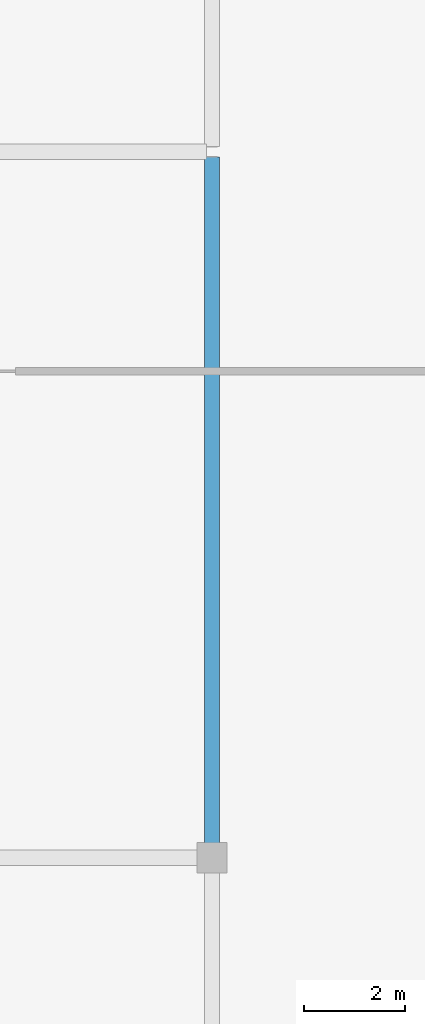
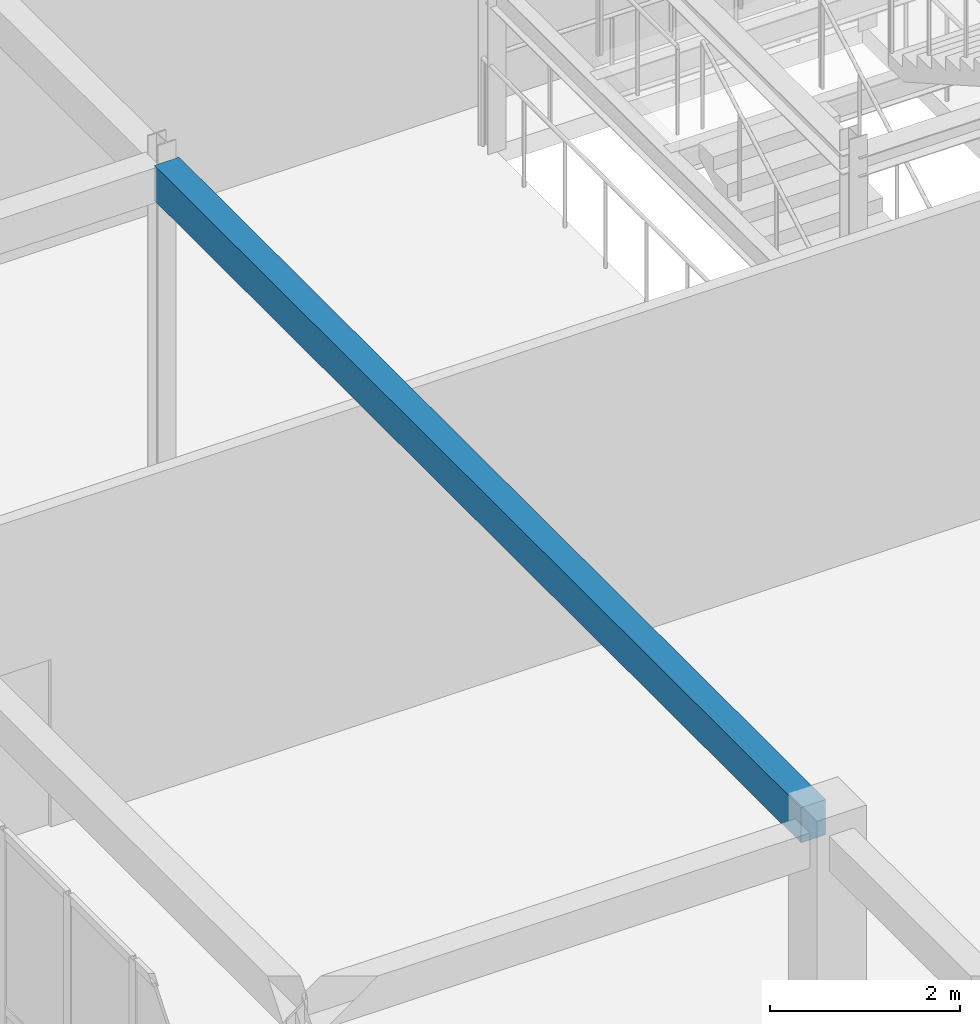
# One storey, part 27 of 158: 1 beam.
"""IFC4 building model written with IfcOpenShell, lengths in metres."""

from ifc_helpers import new_model, si_unit, direction, frame, origin, origin_2d, place, context, subcontext, project, spatial, rectangle, extrude, material, material_profile, profile_set, type_object, element, save


model = new_model("IFC4")

# Units and contexts
model_context = context("Model", 3, precision=1e-05, world=origin(), true_north=direction((0.0, 1.0)))
body_context = subcontext(model_context, "Body", "Model", "MODEL_VIEW")
ifc_project = project(units=[si_unit("LENGTHUNIT", "METRE"), si_unit("AREAUNIT", "SQUARE_METRE"), si_unit("VOLUMEUNIT", "CUBIC_METRE"), si_unit("PLANEANGLEUNIT", "RADIAN"), si_unit("MASSUNIT", "GRAM", prefix="KILO")], contexts=[model_context])

# Site, building, storey
site_placement = place(None, origin())
site = spatial("IfcSite", under=ifc_project, at=site_placement, CompositionType="ELEMENT")
building_placement = place(site_placement, origin())
building = spatial("IfcBuilding", under=site, at=building_placement, Name="Trelvath General Hospital", CompositionType="ELEMENT")
storey_placement = place(building_placement, frame((0.0, 0.0, 8.10009765625)))
storey = spatial("IfcBuildingStorey", under=building, at=storey_placement, Name="L02", CompositionType="ELEMENT", Elevation=8.10009765625)

# Beam
ifc_material = material(Name="Concrete C35/45", Category="concrete")
ifc_material_profile = material_profile(ifc_material, rectangle(XDim=0.300048828125, YDim=0.449951171875, at=origin_2d()), Name="RCB300x450")
ifc_profile_set = profile_set([ifc_material_profile], Name="Concrete C35/45")
beam_type = type_object("IfcBeamType", Name="Beam RC300x450", PredefinedType="BEAM", material=ifc_profile_set)
beam_placement = place(storey_placement, frame((60.800048828125, 45.095947265625, 4.3349609375), z_axis=(0.0, 1.0, 0.0), x_axis=(-1.0, 0.0, 0.0)))
element("IfcBeam", 1, at=beam_placement, inside=storey, type_object=beam_type, Name="Cube Interior Ring Beam CUBE-W-T1 L02", PredefinedType="BEAM", context=body_context, shape_type="SweptSolid", body=[
    extrude(rectangle(XDim=0.300048828125, YDim=0.449951171875, at=origin_2d()), origin(), (0.0, 0.0, 1.0), 13.59814453125),
])

save(model, "model.ifc")
